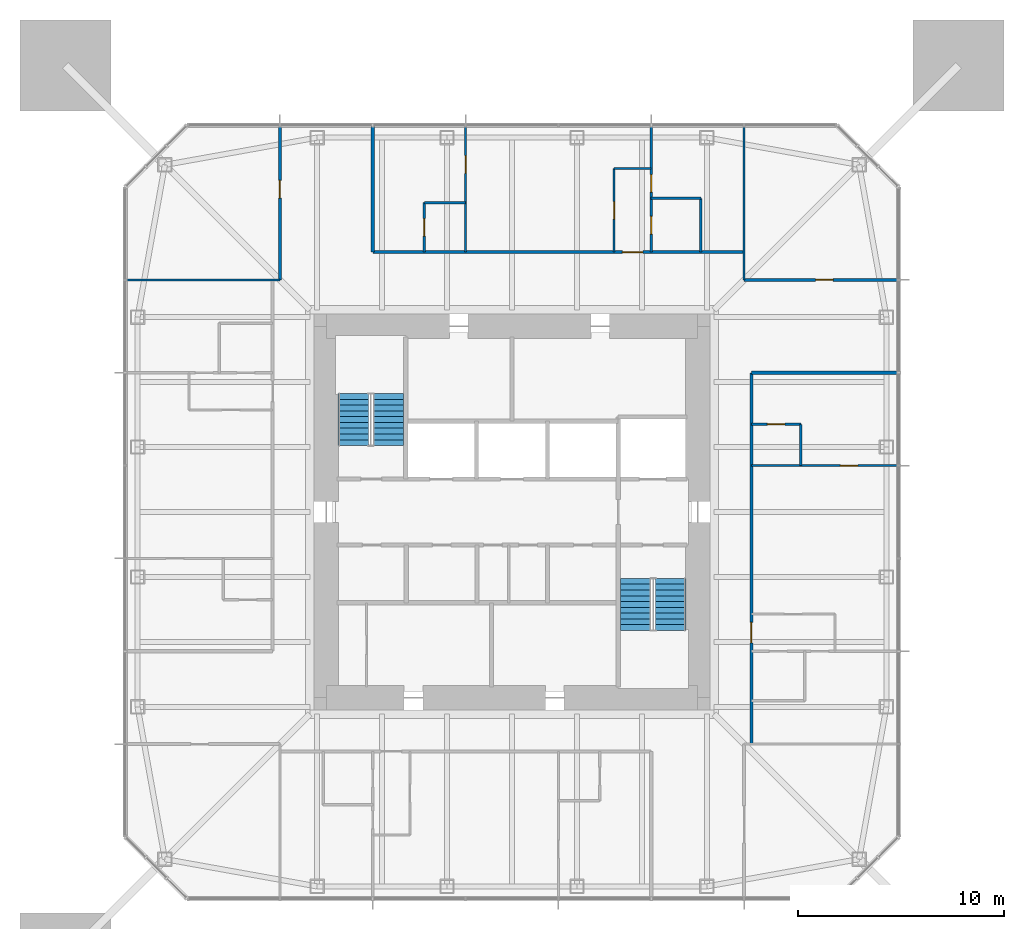
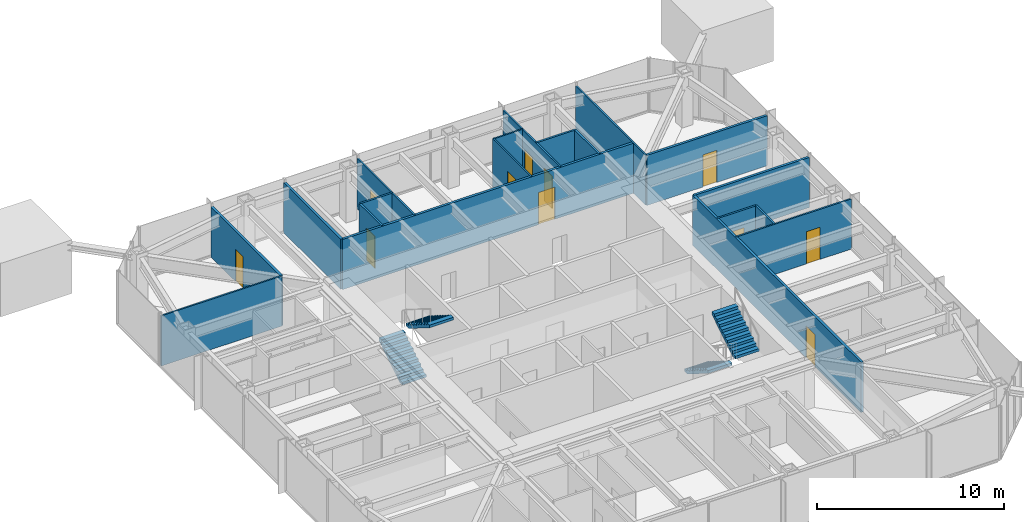
# One storey, part 8 of 11: 19 walls, 11 doors, 4 stair flights, 11 openings, 2 elements without a shape of their own.
"""IFC4 building model written with IfcOpenShell, lengths in metres."""

from ifc_helpers import new_model, si_unit, direction, frame, frame_2d, origin, place, context, subcontext, project, spatial, polyline, rectangle, outline, extrude, material, layer, layer_set, constituent, constituent_set, type_object, element, fill, aggregate, save


model = new_model("IFC4")

# Units and contexts
model_context = context("Model", 3, precision=1e-05, world=origin(), true_north=direction((0.0, 1.0)))
body_context = subcontext(model_context, "Body", "Model", "MODEL_VIEW")
ifc_project = project(units=[si_unit("LENGTHUNIT", "METRE"), si_unit("AREAUNIT", "SQUARE_METRE"), si_unit("VOLUMEUNIT", "CUBIC_METRE"), si_unit("PLANEANGLEUNIT", "RADIAN"), si_unit("MASSUNIT", "GRAM", prefix="KILO")], contexts=[model_context])

# Site, building, storey
site_placement = place(None, origin())
site = spatial("IfcSite", under=ifc_project, at=site_placement, CompositionType="ELEMENT")
building_placement = place(site_placement, origin())
building = spatial("IfcBuilding", under=site, at=building_placement, Name="Iwan Alto Co-Living Towers", CompositionType="ELEMENT")
storey_placement = place(building_placement, frame((0.0, 0.0, 174.0)))
storey = spatial("IfcBuildingStorey", under=building, at=storey_placement, Name="L47", CompositionType="ELEMENT", Elevation=174.0)

# Wall
ifc_material_1 = material(Name="Gypsum board")
ifc_layer_1 = layer(ifc_material_1, 0.02490234375, Name="Board", Category="Finish")
ifc_material_2 = material(Name="Steel ASTM A1003 ST33H cold-formed studs", Category="steel")
ifc_layer_2 = layer(ifc_material_2, 0.10009765625, Name="Studs", Category="Framing")
ifc_layer_3 = layer(ifc_material_1, 0.02490234375, Name="Board", Category="Finish")
ifc_layer_set_1 = layer_set([ifc_layer_1, ifc_layer_2, ifc_layer_3], Name="CORRIDOR WALL 150")
wall_type_1 = type_object("IfcWallType", Name="CORRIDOR WALL 150", PredefinedType="PARTITIONING", material=ifc_layer_set_1)
wall_1_placement = place(storey_placement, frame((11.60009765625, 6.75, 0.0), z_axis=(0.0, 0.0, 1.0), x_axis=(1.0, 0.0, 0.0)))
element("IfcWall", 1, at=wall_1_placement, inside=storey, type_object=wall_type_1, Name="Partition L47", PredefinedType="PARTITIONING", context=body_context, shape_type="SweptSolid", body=[
    extrude(rectangle(XDim=7.08984375, YDim=0.14990234375, at=frame_2d((3.544921875, 0.0))), origin(), (0.0, 0.0, 1.0), 3.27001953125),
])

# Wall, opening, door
wall_2_placement = place(storey_placement, frame((11.25, 11.25, 0.0), z_axis=(0.0, 0.0, 1.0), x_axis=(1.0, 0.0, 0.0)))
wall_2 = element("IfcWall", 2, at=wall_2_placement, inside=storey, type_object=wall_type_1, Name="Partition L47", PredefinedType="PARTITIONING", context=body_context, shape_type="SweptSolid", body=[
    extrude(rectangle(XDim=7.43994140625, YDim=0.14990234375, at=frame_2d((3.719970703125, 0.0))), origin(), (0.0, 0.0, 1.0), 3.27001953125),
])
opening_1_placement = place(wall_2_placement, frame((3.469970703125, 0.0, 0.0)))
opening_1 = element("IfcOpeningElement", 3, at=opening_1_placement, cuts=wall_2, Name="Opening D2", PredefinedType="OPENING", context=body_context, shape_type="SweptSolid", body=[
    extrude(rectangle(XDim=0.85009765625, YDim=2.10009765625, at=frame_2d((0.425048828125, 1.050048828125))), frame((0.0, 0.0849609375, 0.0), z_axis=(0.0, -1.0, 0.0), x_axis=(1.0, 0.0, 0.0)), (0.0, 0.0, 1.0), 0.169921875),
])
ifc_material_3 = material(Name="Timber leaf in steel frame", Category="steel")
door_type_1 = type_object("IfcDoorType", Name="ROOM DOOR 850X2100", OperationType="SINGLE_SWING_LEFT", PredefinedType="DOOR", material=ifc_material_3)
door_1_placement = place(opening_1_placement, origin())
door_1 = element("IfcDoor", 4, at=door_1_placement, inside=storey, type_object=door_type_1, Name="Shared kitchen and lounge door L47", OperationType="SINGLE_SWING_RIGHT", OverallHeight=2.10009765625, OverallWidth=0.85009765625, PredefinedType="DOOR", context=body_context, shape_type="SweptSolid", body=[
    extrude(rectangle(XDim=0.85009765625, YDim=2.10009765625, at=frame_2d((0.425048828125, 1.050048828125))), frame((0.0, 0.02490234375, 0.0), z_axis=(0.0, -1.0, 0.0), x_axis=(1.0, 0.0, 0.0)), (0.0, 0.0, 1.0), 0.050048828125),
])
fill(opening_1, door_1)

wall_3_placement = place(storey_placement, frame((-6.75, 12.60009765625, 0.0), z_axis=(0.0, 0.0, 1.0), x_axis=(1.0, 0.0, 0.0)))
wall_3 = element("IfcWall", 5, at=wall_3_placement, inside=storey, type_object=wall_type_1, Name="Partition L47", PredefinedType="PARTITIONING", context=body_context, shape_type="SweptSolid", body=[
    extrude(rectangle(XDim=18.0, YDim=0.14990234375, at=frame_2d((9.0, 0.0))), origin(), (0.0, 0.0, 1.0), 3.27001953125),
])
opening_2_placement = place(wall_3_placement, frame((12.10009765625, 0.0, 0.0)))
opening_2 = element("IfcOpeningElement", 6, at=opening_2_placement, cuts=wall_3, Name="Opening D3", PredefinedType="OPENING", context=body_context, shape_type="SweptSolid", body=[
    extrude(rectangle(XDim=1.0, YDim=2.10009765625, at=frame_2d((0.5, 1.050048828125))), frame((0.0, 0.0849609375, 0.0), z_axis=(0.0, -1.0, 0.0), x_axis=(1.0, 0.0, 0.0)), (0.0, 0.0, 1.0), 0.169921875),
])
ifc_material_4 = material(Name="Steel frame with timber leaf", Category="steel")
door_type_2 = type_object("IfcDoorType", Name="FLAT ENTRANCE DOOR FD30S 1000X2100", OperationType="SINGLE_SWING_LEFT", PredefinedType="DOOR", material=ifc_material_4)
door_2_placement = place(opening_2_placement, origin())
door_2 = element("IfcDoor", 7, at=door_2_placement, inside=storey, type_object=door_type_2, Name="Apartment foyer door L47", OperationType="SINGLE_SWING_LEFT", OverallHeight=2.10009765625, OverallWidth=1.0, PredefinedType="DOOR", context=body_context, shape_type="SweptSolid", body=[
    extrude(rectangle(XDim=1.0, YDim=2.10009765625, at=frame_2d((0.5, 1.050048828125))), frame((0.0, 0.02490234375, 0.0), z_axis=(0.0, -1.0, 0.0), x_axis=(1.0, 0.0, 0.0)), (0.0, 0.0, 1.0), 0.050048828125),
])
fill(opening_2, door_2)

wall_4_placement = place(storey_placement, frame((11.60009765625, -11.25, 0.0), z_axis=(0.0, 0.0, 1.0), x_axis=(0.0, 1.0, 0.0)))
wall_4 = element("IfcWall", 8, at=wall_4_placement, inside=storey, type_object=wall_type_1, Name="Partition L47", PredefinedType="PARTITIONING", context=body_context, shape_type="SweptSolid", body=[
    extrude(rectangle(XDim=18.0, YDim=0.14990234375, at=frame_2d((9.0, 0.0))), origin(), (0.0, 0.0, 1.0), 3.27001953125),
])
opening_3_placement = place(wall_4_placement, frame((4.89990234375, 0.0, 0.0)))
opening_3 = element("IfcOpeningElement", 9, at=opening_3_placement, cuts=wall_4, Name="Opening D3", PredefinedType="OPENING", context=body_context, shape_type="SweptSolid", body=[
    extrude(rectangle(XDim=1.0, YDim=2.10009765625, at=frame_2d((0.5, 1.050048828125))), frame((0.0, 0.0849609375, 0.0), z_axis=(0.0, -1.0, 0.0), x_axis=(1.0, 0.0, 0.0)), (0.0, 0.0, 1.0), 0.169921875),
])
door_3_placement = place(opening_3_placement, frame((1.0, 0.0, 0.0), z_axis=(0.0, 0.0, 1.0), x_axis=(-1.0, 0.0, 0.0)))
door_3 = element("IfcDoor", 10, at=door_3_placement, inside=storey, type_object=door_type_2, Name="Apartment foyer door L47", OperationType="SINGLE_SWING_RIGHT", OverallHeight=2.10009765625, OverallWidth=1.0, PredefinedType="DOOR", context=body_context, shape_type="SweptSolid", body=[
    extrude(rectangle(XDim=1.0, YDim=2.10009765625, at=frame_2d((0.5, 1.050048828125))), frame((0.0, 0.02490234375, 0.0), z_axis=(0.0, -1.0, 0.0), x_axis=(1.0, 0.0, 0.0)), (0.0, 0.0, 1.0), 0.050048828125),
])
fill(opening_3, door_3)

# Wall
wall_5_placement = place(storey_placement, frame((-6.75, 12.60009765625, 0.0), z_axis=(0.0, 0.0, 1.0), x_axis=(0.0, 1.0, 0.0)))
element("IfcWall", 11, at=wall_5_placement, inside=storey, type_object=wall_type_1, Name="Partition L47", PredefinedType="PARTITIONING", context=body_context, shape_type="SweptSolid", body=[
    extrude(rectangle(XDim=6.08984375, YDim=0.14990234375, at=frame_2d((3.044921875, 0.0))), origin(), (0.0, 0.0, 1.0), 3.27001953125),
])

# Wall, opening, door
wall_6_placement = place(storey_placement, frame((-11.25, 11.25, 0.0), z_axis=(0.0, 0.0, 1.0), x_axis=(0.0, 1.0, 0.0)))
wall_6 = element("IfcWall", 12, at=wall_6_placement, inside=storey, type_object=wall_type_1, Name="Partition L47", PredefinedType="PARTITIONING", context=body_context, shape_type="SweptSolid", body=[
    extrude(rectangle(XDim=7.43994140625, YDim=0.14990234375, at=frame_2d((3.719970703125, 0.0))), origin(), (0.0, 0.0, 1.0), 3.27001953125),
])
opening_4_placement = place(wall_6_placement, frame((3.969970703125, 0.0, 0.0)))
opening_4 = element("IfcOpeningElement", 13, at=opening_4_placement, cuts=wall_6, Name="Opening D2", PredefinedType="OPENING", context=body_context, shape_type="SweptSolid", body=[
    extrude(rectangle(XDim=0.85009765625, YDim=2.10009765625, at=frame_2d((0.425048828125, 1.050048828125))), frame((0.0, 0.0849609375, 0.0), z_axis=(0.0, -1.0, 0.0), x_axis=(1.0, 0.0, 0.0)), (0.0, 0.0, 1.0), 0.169921875),
])
door_4_placement = place(opening_4_placement, origin())
door_4 = element("IfcDoor", 14, at=door_4_placement, inside=storey, type_object=door_type_1, Name="Shared kitchen and lounge door L47", OperationType="SINGLE_SWING_RIGHT", OverallHeight=2.10009765625, OverallWidth=0.85009765625, PredefinedType="DOOR", context=body_context, shape_type="SweptSolid", body=[
    extrude(rectangle(XDim=0.85009765625, YDim=2.10009765625, at=frame_2d((0.425048828125, 1.050048828125))), frame((0.0, 0.02490234375, 0.0), z_axis=(0.0, -1.0, 0.0), x_axis=(1.0, 0.0, 0.0)), (0.0, 0.0, 1.0), 0.050048828125),
])
fill(opening_4, door_4)

ifc_layer_4 = layer(ifc_material_1, 0.012451171875, Name="Board", Category="Finish")
ifc_layer_5 = layer(ifc_material_2, 0.074951171875, Name="Studs", Category="Framing")
ifc_layer_6 = layer(ifc_material_1, 0.012451171875, Name="Board", Category="Finish")
ifc_layer_set_2 = layer_set([ifc_layer_4, ifc_layer_5, ifc_layer_6], Name="PARTITION 100")
wall_type_2 = type_object("IfcWallType", Name="PARTITION 100", PredefinedType="PARTITIONING", material=ifc_layer_set_2)
wall_7_placement = place(storey_placement, frame((11.60009765625, 2.25, 0.0), z_axis=(0.0, 0.0, 1.0), x_axis=(1.0, 0.0, 0.0)))
wall_7 = element("IfcWall", 15, at=wall_7_placement, inside=storey, type_object=wall_type_2, Name="Partition L47", PredefinedType="PARTITIONING", context=body_context, shape_type="SweptSolid", body=[
    extrude(rectangle(XDim=7.08984375, YDim=0.10009765625, at=frame_2d((3.544921875, 0.0))), origin(), (0.0, 0.0, 1.0), 3.27001953125),
])
opening_5_placement = place(wall_7_placement, frame((4.320068359375, 0.0, 0.0)))
opening_5 = element("IfcOpeningElement", 16, at=opening_5_placement, cuts=wall_7, Name="Opening D2", PredefinedType="OPENING", context=body_context, shape_type="SweptSolid", body=[
    extrude(rectangle(XDim=0.85009765625, YDim=2.10009765625, at=frame_2d((0.425048828125, 1.050048828125))), frame((0.0, 0.06005859375, 0.0), z_axis=(0.0, -1.0, 0.0), x_axis=(1.0, 0.0, 0.0)), (0.0, 0.0, 1.0), 0.1201171875),
])
door_5_placement = place(opening_5_placement, frame((0.85009765625, 0.0, 0.0), z_axis=(0.0, 0.0, 1.0), x_axis=(-1.0, 0.0, 0.0)))
door_5 = element("IfcDoor", 17, at=door_5_placement, inside=storey, type_object=door_type_1, Name="Bedroom door L47", OperationType="SINGLE_SWING_LEFT", OverallHeight=2.10009765625, OverallWidth=0.85009765625, PredefinedType="DOOR", context=body_context, shape_type="SweptSolid", body=[
    extrude(rectangle(XDim=0.85009765625, YDim=2.10009765625, at=frame_2d((0.425048828125, 1.050048828125))), frame((0.0, 0.02490234375, 0.0), z_axis=(0.0, -1.0, 0.0), x_axis=(1.0, 0.0, 0.0)), (0.0, 0.0, 1.0), 0.050048828125),
])
fill(opening_5, door_5)

# Walls
wall_8_placement = place(storey_placement, frame((-18.68994140625, 11.25, 0.0), z_axis=(0.0, 0.0, 1.0), x_axis=(1.0, 0.0, 0.0)))
element("IfcWall", 18, at=wall_8_placement, inside=storey, type_object=wall_type_2, Name="Partition L47", PredefinedType="PARTITIONING", context=body_context, shape_type="SweptSolid", body=[
    extrude(rectangle(XDim=7.43994140625, YDim=0.10009765625, at=frame_2d((3.719970703125, 0.0))), origin(), (0.0, 0.0, 1.0), 3.27001953125),
])
wall_9_placement = place(storey_placement, frame((4.949951171875, 16.64990234375, 0.0), z_axis=(0.0, 0.0, 1.0), x_axis=(1.0, 0.0, 0.0)))
element("IfcWall", 19, at=wall_9_placement, inside=storey, type_object=wall_type_2, Name="Partition L47", PredefinedType="PARTITIONING", context=body_context, shape_type="SweptSolid", body=[
    extrude(rectangle(XDim=1.800048828125, YDim=0.10009765625, at=frame_2d((0.89990234375, 0.0))), origin(), (0.0, 0.0, 1.0), 3.27001953125),
])
wall_10_placement = place(storey_placement, frame((11.25, 11.25, 0.0), z_axis=(0.0, 0.0, 1.0), x_axis=(0.0, 1.0, 0.0)))
element("IfcWall", 20, at=wall_10_placement, inside=storey, type_object=wall_type_2, Name="Partition L47", PredefinedType="PARTITIONING", context=body_context, shape_type="SweptSolid", body=[
    extrude(rectangle(XDim=7.43994140625, YDim=0.10009765625, at=frame_2d((3.719970703125, 0.0))), origin(), (0.0, 0.0, 1.0), 3.27001953125),
])

# Wall, openings, doors
wall_11_placement = place(storey_placement, frame((6.75, 12.60009765625, 0.0), z_axis=(0.0, 0.0, 1.0), x_axis=(0.0, 1.0, 0.0)))
wall_11 = element("IfcWall", 21, at=wall_11_placement, inside=storey, type_object=wall_type_2, Name="Partition L47", PredefinedType="PARTITIONING", context=body_context, shape_type="SweptSolid", body=[
    extrude(rectangle(XDim=6.08984375, YDim=0.10009765625, at=frame_2d((3.044921875, 0.0))), origin(), (0.0, 0.0, 1.0), 3.27001953125),
])
opening_6_placement = place(wall_11_placement, frame((2.89990234375, 0.0, 0.0)))
opening_6 = element("IfcOpeningElement", 22, at=opening_6_placement, cuts=wall_11, Name="Opening D2", PredefinedType="OPENING", context=body_context, shape_type="SweptSolid", body=[
    extrude(rectangle(XDim=0.85009765625, YDim=2.10009765625, at=frame_2d((0.425048828125, 1.050048828125))), frame((0.0, 0.06005859375, 0.0), z_axis=(0.0, -1.0, 0.0), x_axis=(1.0, 0.0, 0.0)), (0.0, 0.0, 1.0), 0.1201171875),
])
opening_7_placement = place(wall_11_placement, frame((0.875, 0.0, 0.0)))
opening_7 = element("IfcOpeningElement", 23, at=opening_7_placement, cuts=wall_11, Name="Opening D2", PredefinedType="OPENING", context=body_context, shape_type="SweptSolid", body=[
    extrude(rectangle(XDim=0.85009765625, YDim=2.10009765625, at=frame_2d((0.425048828125, 1.050048828125))), frame((0.0, 0.06005859375, 0.0), z_axis=(0.0, -1.0, 0.0), x_axis=(1.0, 0.0, 0.0)), (0.0, 0.0, 1.0), 0.1201171875),
])
door_6_placement = place(opening_6_placement, frame((0.85009765625, 0.0, 0.0), z_axis=(0.0, 0.0, 1.0), x_axis=(-1.0, 0.0, 0.0)))
door_6 = element("IfcDoor", 24, at=door_6_placement, inside=storey, type_object=door_type_1, Name="Bedroom door L47", OperationType="SINGLE_SWING_RIGHT", OverallHeight=2.10009765625, OverallWidth=0.85009765625, PredefinedType="DOOR", context=body_context, shape_type="SweptSolid", body=[
    extrude(rectangle(XDim=0.85009765625, YDim=2.10009765625, at=frame_2d((0.425048828125, 1.050048828125))), frame((0.0, 0.02490234375, 0.0), z_axis=(0.0, -1.0, 0.0), x_axis=(1.0, 0.0, 0.0)), (0.0, 0.0, 1.0), 0.050048828125),
])
fill(opening_6, door_6)
door_7_placement = place(opening_7_placement, frame((0.85009765625, 0.0, 0.0), z_axis=(0.0, 0.0, 1.0), x_axis=(-1.0, 0.0, 0.0)))
door_7 = element("IfcDoor", 25, at=door_7_placement, inside=storey, type_object=door_type_1, Name="Bathroom door L47", OperationType="SINGLE_SWING_RIGHT", OverallHeight=2.10009765625, OverallWidth=0.85009765625, PredefinedType="DOOR", context=body_context, shape_type="SweptSolid", body=[
    extrude(rectangle(XDim=0.85009765625, YDim=2.10009765625, at=frame_2d((0.425048828125, 1.050048828125))), frame((0.0, 0.02490234375, 0.0), z_axis=(0.0, -1.0, 0.0), x_axis=(1.0, 0.0, 0.0)), (0.0, 0.0, 1.0), 0.050048828125),
])
fill(opening_7, door_7)

# Wall, opening, door
wall_12_placement = place(storey_placement, frame((4.949951171875, 12.60009765625, 0.0), z_axis=(0.0, 0.0, 1.0), x_axis=(0.0, 1.0, 0.0)))
wall_12 = element("IfcWall", 26, at=wall_12_placement, inside=storey, type_object=wall_type_2, Name="Partition L47", PredefinedType="PARTITIONING", context=body_context, shape_type="SweptSolid", body=[
    extrude(rectangle(XDim=4.0498046875, YDim=0.10009765625, at=frame_2d((2.02490234375, 0.0))), origin(), (0.0, 0.0, 1.0), 3.27001953125),
])
opening_8_placement = place(wall_12_placement, frame((1.60009765625, 0.0, 0.0)))
opening_8 = element("IfcOpeningElement", 27, at=opening_8_placement, cuts=wall_12, Name="Opening D2", PredefinedType="OPENING", context=body_context, shape_type="SweptSolid", body=[
    extrude(rectangle(XDim=0.85009765625, YDim=2.10009765625, at=frame_2d((0.425048828125, 1.050048828125))), frame((0.0, 0.06005859375, 0.0), z_axis=(0.0, -1.0, 0.0), x_axis=(1.0, 0.0, 0.0)), (0.0, 0.0, 1.0), 0.1201171875),
])
door_8_placement = place(opening_8_placement, origin())
door_8 = element("IfcDoor", 28, at=door_8_placement, inside=storey, type_object=door_type_1, Name="Apartment foyer door L47", OperationType="SINGLE_SWING_LEFT", OverallHeight=2.10009765625, OverallWidth=0.85009765625, PredefinedType="DOOR", context=body_context, shape_type="SweptSolid", body=[
    extrude(rectangle(XDim=0.85009765625, YDim=2.10009765625, at=frame_2d((0.425048828125, 1.050048828125))), frame((0.0, 0.02490234375, 0.0), z_axis=(0.0, -1.0, 0.0), x_axis=(1.0, 0.0, 0.0)), (0.0, 0.0, 1.0), 0.050048828125),
])
fill(opening_8, door_8)

wall_13_placement = place(storey_placement, frame((-2.25, 12.60009765625, 0.0), z_axis=(0.0, 0.0, 1.0), x_axis=(0.0, 1.0, 0.0)))
wall_13 = element("IfcWall", 29, at=wall_13_placement, inside=storey, type_object=wall_type_2, Name="Partition L47", PredefinedType="PARTITIONING", context=body_context, shape_type="SweptSolid", body=[
    extrude(rectangle(XDim=6.08984375, YDim=0.10009765625, at=frame_2d((3.044921875, 0.0))), origin(), (0.0, 0.0, 1.0), 3.27001953125),
])
opening_9_placement = place(wall_13_placement, frame((3.820068359375, 0.0, 0.0)))
opening_9 = element("IfcOpeningElement", 30, at=opening_9_placement, cuts=wall_13, Name="Opening D2", PredefinedType="OPENING", context=body_context, shape_type="SweptSolid", body=[
    extrude(rectangle(XDim=0.85009765625, YDim=2.10009765625, at=frame_2d((0.425048828125, 1.050048828125))), frame((0.0, 0.06005859375, 0.0), z_axis=(0.0, -1.0, 0.0), x_axis=(1.0, 0.0, 0.0)), (0.0, 0.0, 1.0), 0.1201171875),
])
door_9_placement = place(opening_9_placement, frame((0.85009765625, 0.0, 0.0), z_axis=(0.0, 0.0, 1.0), x_axis=(-1.0, 0.0, 0.0)))
door_9 = element("IfcDoor", 31, at=door_9_placement, inside=storey, type_object=door_type_1, Name="Bedroom door L47", OperationType="SINGLE_SWING_LEFT", OverallHeight=2.10009765625, OverallWidth=0.85009765625, PredefinedType="DOOR", context=body_context, shape_type="SweptSolid", body=[
    extrude(rectangle(XDim=0.85009765625, YDim=2.10009765625, at=frame_2d((0.425048828125, 1.050048828125))), frame((0.0, 0.02490234375, 0.0), z_axis=(0.0, -1.0, 0.0), x_axis=(1.0, 0.0, 0.0)), (0.0, 0.0, 1.0), 0.050048828125),
])
fill(opening_9, door_9)

ifc_material_5 = material(Name="Cement board")
ifc_layer_7 = layer(ifc_material_5, 0.012451171875, Name="Board", Category="Finish")
ifc_layer_8 = layer(ifc_material_2, 0.094970703125, Name="Studs", Category="Framing")
ifc_layer_9 = layer(ifc_material_5, 0.012451171875, Name="Board", Category="Finish")
ifc_layer_set_3 = layer_set([ifc_layer_7, ifc_layer_8, ifc_layer_9], Name="WET AREA PARTITION 120")
wall_type_3 = type_object("IfcWallType", Name="WET AREA PARTITION 120", PredefinedType="PARTITIONING", material=ifc_layer_set_3)
wall_14_placement = place(storey_placement, frame((11.60009765625, 4.25, 0.0), z_axis=(0.0, 0.0, 1.0), x_axis=(1.0, 0.0, 0.0)))
wall_14 = element("IfcWall", 32, at=wall_14_placement, inside=storey, type_object=wall_type_3, Name="Partition L47", PredefinedType="PARTITIONING", context=body_context, shape_type="SweptSolid", body=[
    extrude(rectangle(XDim=2.39990234375, YDim=0.1201171875, at=frame_2d((1.199951171875, 0.0))), origin(), (0.0, 0.0, 1.0), 3.27001953125),
])
opening_10_placement = place(wall_14_placement, frame((0.77490234375, 0.0, 0.0)))
opening_10 = element("IfcOpeningElement", 33, at=opening_10_placement, cuts=wall_14, Name="Opening D2", PredefinedType="OPENING", context=body_context, shape_type="SweptSolid", body=[
    extrude(rectangle(XDim=0.85009765625, YDim=2.10009765625, at=frame_2d((0.425048828125, 1.050048828125))), frame((0.0, 0.070068359375, 0.0), z_axis=(0.0, -1.0, 0.0), x_axis=(1.0, 0.0, 0.0)), (0.0, 0.0, 1.0), 0.14013671875),
])
door_10_placement = place(opening_10_placement, origin())
door_10 = element("IfcDoor", 34, at=door_10_placement, inside=storey, type_object=door_type_1, Name="En-suite shower room door L47", OperationType="SINGLE_SWING_LEFT", OverallHeight=2.10009765625, OverallWidth=0.85009765625, PredefinedType="DOOR", context=body_context, shape_type="SweptSolid", body=[
    extrude(rectangle(XDim=0.85009765625, YDim=2.10009765625, at=frame_2d((0.425048828125, 1.050048828125))), frame((0.0, 0.02490234375, 0.0), z_axis=(0.0, -1.0, 0.0), x_axis=(1.0, 0.0, 0.0)), (0.0, 0.0, 1.0), 0.050048828125),
])
fill(opening_10, door_10)

# Walls
wall_15_placement = place(storey_placement, frame((-4.25, 15.0, 0.0), z_axis=(0.0, 0.0, 1.0), x_axis=(1.0, 0.0, 0.0)))
element("IfcWall", 35, at=wall_15_placement, inside=storey, type_object=wall_type_3, Name="Partition L47", PredefinedType="PARTITIONING", context=body_context, shape_type="SweptSolid", body=[
    extrude(rectangle(XDim=2.0, YDim=0.1201171875, at=frame_2d((1.0, 0.0))), origin(), (0.0, 0.0, 1.0), 3.27001953125),
])
wall_16_placement = place(storey_placement, frame((6.75, 15.199951171875, 0.0), z_axis=(0.0, 0.0, 1.0), x_axis=(1.0, 0.0, 0.0)))
element("IfcWall", 36, at=wall_16_placement, inside=storey, type_object=wall_type_3, Name="Partition L47", PredefinedType="PARTITIONING", context=body_context, shape_type="SweptSolid", body=[
    extrude(rectangle(XDim=2.39990234375, YDim=0.1201171875, at=frame_2d((1.199951171875, 0.0))), origin(), (0.0, 0.0, 1.0), 3.27001953125),
])
wall_17_placement = place(storey_placement, frame((14.0, 2.25, 0.0), z_axis=(0.0, 0.0, 1.0), x_axis=(0.0, 1.0, 0.0)))
element("IfcWall", 37, at=wall_17_placement, inside=storey, type_object=wall_type_3, Name="Partition L47", PredefinedType="PARTITIONING", context=body_context, shape_type="SweptSolid", body=[
    extrude(rectangle(XDim=2.0, YDim=0.1201171875, at=frame_2d((1.0, 0.0))), origin(), (0.0, 0.0, 1.0), 3.27001953125),
])
wall_18_placement = place(storey_placement, frame((9.14990234375, 12.60009765625, 0.0), z_axis=(0.0, 0.0, 1.0), x_axis=(0.0, 1.0, 0.0)))
element("IfcWall", 38, at=wall_18_placement, inside=storey, type_object=wall_type_3, Name="Partition L47", PredefinedType="PARTITIONING", context=body_context, shape_type="SweptSolid", body=[
    extrude(rectangle(XDim=2.599853515625, YDim=0.1201171875, at=frame_2d((1.2998046875, 0.0))), origin(), (0.0, 0.0, 1.0), 3.27001953125),
])

# Wall, opening, door
wall_19_placement = place(storey_placement, frame((-4.25, 12.60009765625, 0.0), z_axis=(0.0, 0.0, 1.0), x_axis=(0.0, 1.0, 0.0)))
wall_19 = element("IfcWall", 39, at=wall_19_placement, inside=storey, type_object=wall_type_3, Name="Partition L47", PredefinedType="PARTITIONING", context=body_context, shape_type="SweptSolid", body=[
    extrude(rectangle(XDim=2.39990234375, YDim=0.1201171875, at=frame_2d((1.199951171875, 0.0))), origin(), (0.0, 0.0, 1.0), 3.27001953125),
])
opening_11_placement = place(wall_19_placement, frame((0.77490234375, 0.0, 0.0)))
opening_11 = element("IfcOpeningElement", 40, at=opening_11_placement, cuts=wall_19, Name="Opening D2", PredefinedType="OPENING", context=body_context, shape_type="SweptSolid", body=[
    extrude(rectangle(XDim=0.85009765625, YDim=2.10009765625, at=frame_2d((0.425048828125, 1.050048828125))), frame((0.0, 0.070068359375, 0.0), z_axis=(0.0, -1.0, 0.0), x_axis=(1.0, 0.0, 0.0)), (0.0, 0.0, 1.0), 0.14013671875),
])
door_11_placement = place(opening_11_placement, origin())
door_11 = element("IfcDoor", 41, at=door_11_placement, inside=storey, type_object=door_type_1, Name="En-suite shower room door L47", OperationType="SINGLE_SWING_LEFT", OverallHeight=2.10009765625, OverallWidth=0.85009765625, PredefinedType="DOOR", context=body_context, shape_type="SweptSolid", body=[
    extrude(rectangle(XDim=0.85009765625, YDim=2.10009765625, at=frame_2d((0.425048828125, 1.050048828125))), frame((0.0, 0.02490234375, 0.0), z_axis=(0.0, -1.0, 0.0), x_axis=(1.0, 0.0, 0.0)), (0.0, 0.0, 1.0), 0.050048828125),
])
fill(opening_11, door_11)

# Stair, stair flights
ifc_material_6 = material(Name="Steel ASTM A36", Category="steel")
ifc_constituent_1 = constituent(ifc_material_6, Name="Stringers", Category="LoadBearing")
ifc_material_7 = material(Name="Concrete f'c 30 MPa", Category="concrete")
ifc_constituent_2 = constituent(ifc_material_7, Name="Tread fill", Category="Finish")
ifc_constituent_set_1 = constituent_set(constituents=[ifc_constituent_1, ifc_constituent_2], Name="STAIR 3500 TWO-FLIGHT T1 CORE")
stair_type = type_object("IfcStairType", Name="STAIR 3500 TWO-FLIGHT T1 CORE", PredefinedType="HALF_TURN_STAIR", material=ifc_constituent_set_1)
stair_1_placement = place(storey_placement, origin())
stair_1 = element("IfcStair", 42, at=stair_1_placement, inside=storey, type_object=stair_type, Name="Stair T1-S1 L47 to L48", PredefinedType="HALF_TURN_STAIR")
ifc_constituent_3 = constituent(ifc_material_6, Name="Stringers", Category="LoadBearing")
ifc_constituent_4 = constituent(ifc_material_7, Name="Tread fill", Category="Finish")
ifc_constituent_set_2 = constituent_set(constituents=[ifc_constituent_3, ifc_constituent_4], Name="STAIR FLIGHT 10 RISERS 280 GOING")
stair_flight_type = type_object("IfcStairFlightType", Name="STAIR FLIGHT 10 RISERS 280 GOING", PredefinedType="STRAIGHT", material=ifc_constituent_set_2)
stair_flight_1_placement = place(storey_placement, frame((-7.68994140625, 3.219970703125, 0.0), z_axis=(0.0, 0.0, 1.0), x_axis=(0.0, 1.0, 0.0)))
stair_flight_1 = element("IfcStairFlight", 43, at=stair_flight_1_placement, type_object=stair_flight_type, Name="T1-S1 flight 1", NumberOfRisers=10, NumberOfTreads=9, PredefinedType="STRAIGHT", RiserHeight=0.175, TreadLength=0.28, context=body_context, shape_type="SweptSolid", body=[
    extrude(outline(polyline([(0.0, 0.0), (0.0, 0.175048828125), (0.280029296875, 0.175048828125), (0.280029296875, 0.35009765625), (0.56005859375, 0.35009765625), (0.56005859375, 0.52490234375), (0.840087890625, 0.52490234375), (0.840087890625, 0.699951171875), (1.1201171875, 0.699951171875), (1.1201171875, 0.875), (1.39990234375, 0.875), (1.39990234375, 1.050048828125), (1.679931640625, 1.050048828125), (1.679931640625, 1.22509765625), (1.9599609375, 1.22509765625), (1.9599609375, 1.39990234375), (2.239990234375, 1.39990234375), (2.239990234375, 1.574951171875), (2.52001953125, 1.574951171875), (2.52001953125, 1.75), (2.52001953125, 1.398193359375), (0.28271484375, 0.0), (0.0, 0.0)])), frame((0.0, 0.739990234375, 0.0), z_axis=(0.0, -1.0, 0.0), x_axis=(1.0, 0.0, 0.0)), (0.0, 0.0, 1.0), 1.47998046875),
])
stair_flight_2_placement = place(storey_placement, frame((-6.010009765625, 5.739990234375, 1.75), z_axis=(0.0, 0.0, 1.0), x_axis=(0.0, -1.0, 0.0)))
stair_flight_2 = element("IfcStairFlight", 44, at=stair_flight_2_placement, type_object=stair_flight_type, Name="T1-S1 flight 2", NumberOfRisers=10, NumberOfTreads=9, PredefinedType="STRAIGHT", RiserHeight=0.175, TreadLength=0.28, context=body_context, shape_type="SweptSolid", body=[
    extrude(outline(polyline([(0.0, 0.0), (0.0, 0.175048828125), (0.280029296875, 0.175048828125), (0.280029296875, 0.35009765625), (0.56005859375, 0.35009765625), (0.56005859375, 0.52490234375), (0.840087890625, 0.52490234375), (0.840087890625, 0.699951171875), (1.1201171875, 0.699951171875), (1.1201171875, 0.875), (1.39990234375, 0.875), (1.39990234375, 1.050048828125), (1.679931640625, 1.050048828125), (1.679931640625, 1.22509765625), (1.9599609375, 1.22509765625), (1.9599609375, 1.39990234375), (2.239990234375, 1.39990234375), (2.239990234375, 1.574951171875), (2.52001953125, 1.574951171875), (2.52001953125, 1.75), (2.52001953125, 1.398193359375), (0.28271484375, 0.0), (0.0, 0.0)])), frame((0.0, 0.739990234375, 0.0), z_axis=(0.0, -1.0, 0.0), x_axis=(1.0, 0.0, 0.0)), (0.0, 0.0, 1.0), 1.47998046875),
])
aggregate(stair_1, [stair_flight_1, stair_flight_2])

stair_2_placement = place(storey_placement, origin())
stair_2 = element("IfcStair", 45, at=stair_2_placement, inside=storey, type_object=stair_type, Name="Stair T1-S2 L47 to L48", PredefinedType="HALF_TURN_STAIR")
stair_flight_3_placement = place(storey_placement, frame((6.010009765625, -3.219970703125, 0.0), z_axis=(0.0, 0.0, 1.0), x_axis=(0.0, -1.0, 0.0)))
stair_flight_3 = element("IfcStairFlight", 46, at=stair_flight_3_placement, type_object=stair_flight_type, Name="T1-S2 flight 1", NumberOfRisers=10, NumberOfTreads=9, PredefinedType="STRAIGHT", RiserHeight=0.175, TreadLength=0.28, context=body_context, shape_type="SweptSolid", body=[
    extrude(outline(polyline([(0.0, 0.0), (0.0, 0.175048828125), (0.280029296875, 0.175048828125), (0.280029296875, 0.35009765625), (0.56005859375, 0.35009765625), (0.56005859375, 0.52490234375), (0.840087890625, 0.52490234375), (0.840087890625, 0.699951171875), (1.1201171875, 0.699951171875), (1.1201171875, 0.875), (1.39990234375, 0.875), (1.39990234375, 1.050048828125), (1.679931640625, 1.050048828125), (1.679931640625, 1.22509765625), (1.9599609375, 1.22509765625), (1.9599609375, 1.39990234375), (2.239990234375, 1.39990234375), (2.239990234375, 1.574951171875), (2.52001953125, 1.574951171875), (2.52001953125, 1.75), (2.52001953125, 1.398193359375), (0.28271484375, 0.0), (0.0, 0.0)])), frame((0.0, 0.739990234375, 0.0), z_axis=(0.0, -1.0, 0.0), x_axis=(1.0, 0.0, 0.0)), (0.0, 0.0, 1.0), 1.47998046875),
])
stair_flight_4_placement = place(storey_placement, frame((7.68994140625, -5.739990234375, 1.75), z_axis=(0.0, 0.0, 1.0), x_axis=(0.0, 1.0, 0.0)))
stair_flight_4 = element("IfcStairFlight", 47, at=stair_flight_4_placement, type_object=stair_flight_type, Name="T1-S2 flight 2", NumberOfRisers=10, NumberOfTreads=9, PredefinedType="STRAIGHT", RiserHeight=0.175, TreadLength=0.28, context=body_context, shape_type="SweptSolid", body=[
    extrude(outline(polyline([(0.0, 0.0), (0.0, 0.175048828125), (0.280029296875, 0.175048828125), (0.280029296875, 0.35009765625), (0.56005859375, 0.35009765625), (0.56005859375, 0.52490234375), (0.840087890625, 0.52490234375), (0.840087890625, 0.699951171875), (1.1201171875, 0.699951171875), (1.1201171875, 0.875), (1.39990234375, 0.875), (1.39990234375, 1.050048828125), (1.679931640625, 1.050048828125), (1.679931640625, 1.22509765625), (1.9599609375, 1.22509765625), (1.9599609375, 1.39990234375), (2.239990234375, 1.39990234375), (2.239990234375, 1.574951171875), (2.52001953125, 1.574951171875), (2.52001953125, 1.75), (2.52001953125, 1.398193359375), (0.28271484375, 0.0), (0.0, 0.0)])), frame((0.0, 0.739990234375, 0.0), z_axis=(0.0, -1.0, 0.0), x_axis=(1.0, 0.0, 0.0)), (0.0, 0.0, 1.0), 1.47998046875),
])
aggregate(stair_2, [stair_flight_3, stair_flight_4])

save(model, "model.ifc")
